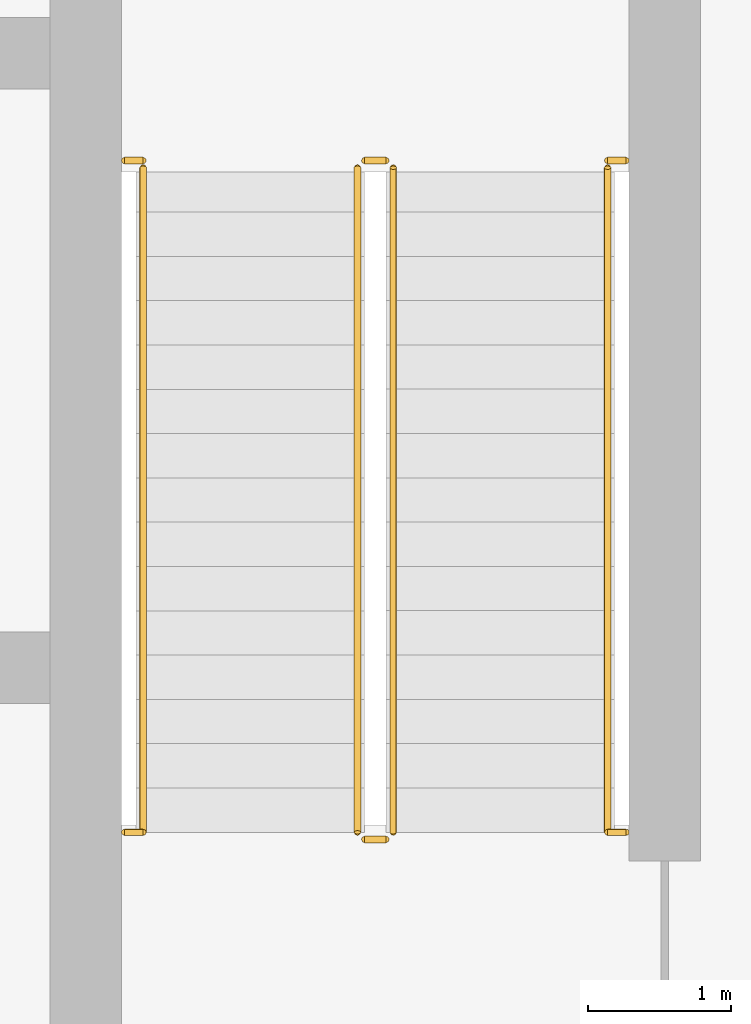
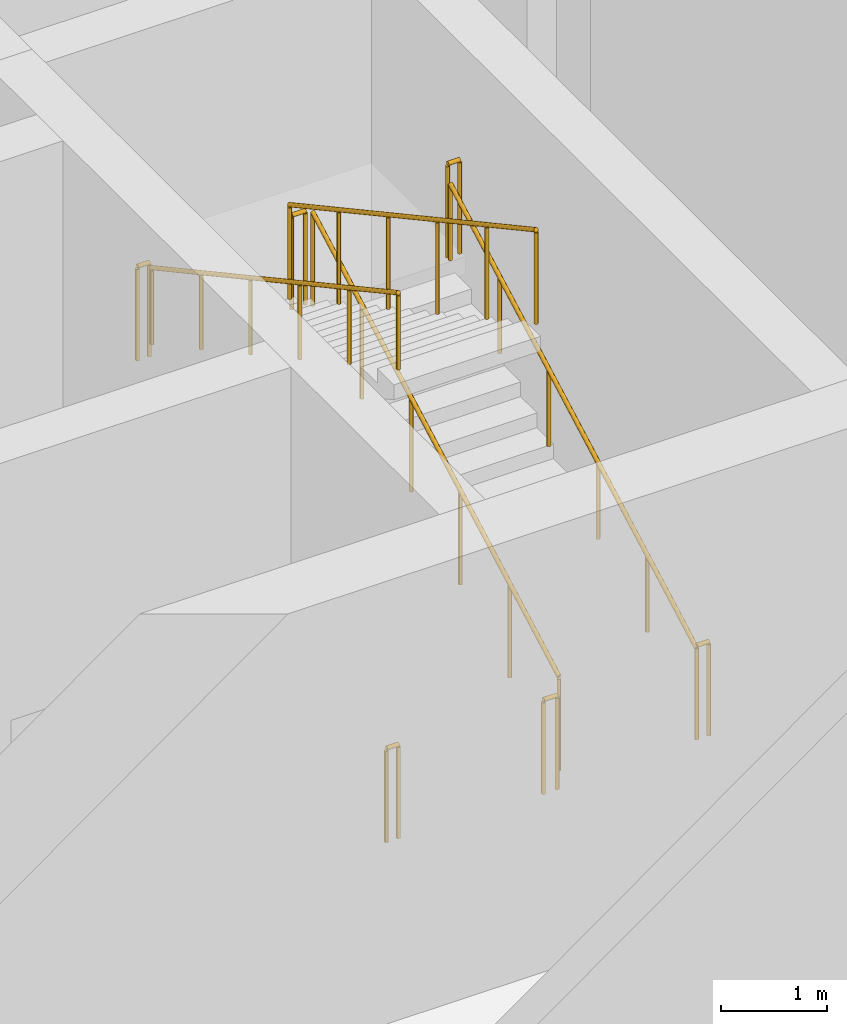
# One storey, part 26 of 30: 10 railings.
"""IFC4 building model written with IfcOpenShell, lengths in metres."""

from ifc_helpers import new_model, si_unit, direction, frame, origin, origin_2d, place, context, subcontext, project, spatial, circle, extrude, material, type_object, element, save


model = new_model("IFC4")

# Units and contexts
model_context = context("Model", 3, precision=1e-05, world=origin(), true_north=direction((0.0, 1.0)))
body_context = subcontext(model_context, "Body", "Model", "MODEL_VIEW")
ifc_project = project(units=[si_unit("LENGTHUNIT", "METRE"), si_unit("AREAUNIT", "SQUARE_METRE"), si_unit("VOLUMEUNIT", "CUBIC_METRE"), si_unit("PLANEANGLEUNIT", "RADIAN"), si_unit("MASSUNIT", "GRAM", prefix="KILO")], contexts=[model_context])

# Site, building, storey
site_placement = place(None, origin())
site = spatial("IfcSite", under=ifc_project, at=site_placement, CompositionType="ELEMENT")
building_placement = place(site_placement, origin())
building = spatial("IfcBuilding", under=site, at=building_placement, Name="Madar Terraces", CompositionType="ELEMENT")
storey_placement = place(building_placement, frame((0.0, 0.0, 173.5)))
storey = spatial("IfcBuildingStorey", under=building, at=storey_placement, Name="L45", CompositionType="ELEMENT", Elevation=173.5)

# Railings
ifc_material_1 = material(Name="Stainless steel railing", Category="steel")
railing_type_1 = type_object("IfcRailingType", Name="Stair guard 1100", PredefinedType="GUARDRAIL", material=ifc_material_1)
railing_1_placement = place(storey_placement, frame((41.449951171875, 17.60009765625, 0.168701171875)))
element("IfcRailing", 1, at=railing_1_placement, inside=storey, type_object=railing_type_1, Name="L45 ST3 stair guard 1", PredefinedType="GUARDRAIL", context=body_context, shape_type="SweptSolid", body=[
    extrude(circle(Radius=0.02392578125, at=origin_2d()), frame((0.0, 0.0, 1.076171875), z_axis=(0.0, 0.878297076953, 0.478115304728), x_axis=(-1.0, 0.0, 0.0)), (0.0, 0.0, 1.0), 5.294189453125),
    extrude(circle(Radius=0.02099609375, at=origin_2d()), origin(), (0.0, 0.0, 1.0), 1.052001953125),
    extrude(circle(Radius=0.02099609375, at=origin_2d()), frame((0.0, 0.929931640625, 0.50634765625)), (0.0, 0.0, 1.0), 1.052001953125),
    extrude(circle(Radius=0.02099609375, at=origin_2d()), frame((0.0, 1.85986328125, 1.012451171875)), (0.0, 0.0, 1.0), 1.052001953125),
    extrude(circle(Radius=0.02099609375, at=origin_2d()), frame((0.0, 2.7900390625, 1.518798828125)), (0.0, 0.0, 1.0), 1.052001953125),
    extrude(circle(Radius=0.02099609375, at=origin_2d()), frame((0.0, 3.719970703125, 2.02490234375)), (0.0, 0.0, 1.0), 1.052001953125),
    extrude(circle(Radius=0.02099609375, at=origin_2d()), frame((0.0, 4.64990234375, 2.53125)), (0.0, 0.0, 1.0), 1.052001953125),
])
railing_2_placement = place(storey_placement, frame((41.39990234375, 22.300048828125, 2.699951171875)))
element("IfcRailing", 2, at=railing_2_placement, inside=storey, type_object=railing_type_1, Name="L45 ST3 stair guard 2", PredefinedType="GUARDRAIL", context=body_context, shape_type="SweptSolid", body=[
    extrude(circle(Radius=0.02392578125, at=origin_2d()), frame((0.0, 0.0, 1.076171875), z_axis=(-1.0, 0.0, 0.0), x_axis=(0.0, -1.0, 0.0)), (0.0, 0.0, 1.0), 0.14990234375),
    extrude(circle(Radius=0.02099609375, at=origin_2d()), origin(), (0.0, 0.0, 1.0), 1.052001953125),
    extrude(circle(Radius=0.02099609375, at=origin_2d()), frame((-0.14990234375, 0.0, 0.0)), (0.0, 0.0, 1.0), 1.052001953125),
])
railing_3_placement = place(storey_placement, frame((41.199951171875, 22.25, 2.86865234375)))
element("IfcRailing", 3, at=railing_3_placement, inside=storey, type_object=railing_type_1, Name="L45 ST3 stair guard 3", PredefinedType="GUARDRAIL", context=body_context, shape_type="SweptSolid", body=[
    extrude(circle(Radius=0.02392578125, at=origin_2d()), frame((0.0, 0.0, 1.076171875), z_axis=(0.0, -0.878297076953, 0.478115304728), x_axis=(1.0, 0.0, 0.0)), (0.0, 0.0, 1.0), 5.294189453125),
    extrude(circle(Radius=0.02099609375, at=origin_2d()), origin(), (0.0, 0.0, 1.0), 1.052001953125),
    extrude(circle(Radius=0.02099609375, at=origin_2d()), frame((0.0, -0.929931640625, 0.50634765625)), (0.0, 0.0, 1.0), 1.052001953125),
    extrude(circle(Radius=0.02099609375, at=origin_2d()), frame((0.0, -1.85986328125, 1.012451171875)), (0.0, 0.0, 1.0), 1.052001953125),
    extrude(circle(Radius=0.02099609375, at=origin_2d()), frame((0.0, -2.7900390625, 1.518798828125)), (0.0, 0.0, 1.0), 1.052001953125),
    extrude(circle(Radius=0.02099609375, at=origin_2d()), frame((0.0, -3.719970703125, 2.02490234375)), (0.0, 0.0, 1.0), 1.052001953125),
    extrude(circle(Radius=0.02099609375, at=origin_2d()), frame((0.0, -4.64990234375, 2.53125)), (0.0, 0.0, 1.0), 1.052001953125),
])
railing_4_placement = place(storey_placement, frame((41.39990234375, 17.550048828125, 0.0)))
element("IfcRailing", 4, at=railing_4_placement, inside=storey, type_object=railing_type_1, Name="L45 ST3 stair guard 4", PredefinedType="GUARDRAIL", context=body_context, shape_type="SweptSolid", body=[
    extrude(circle(Radius=0.02392578125, at=origin_2d()), frame((0.0, 0.0, 1.076171875), z_axis=(-1.0, 0.0, 0.0), x_axis=(0.0, -1.0, 0.0)), (0.0, 0.0, 1.0), 0.14990234375),
    extrude(circle(Radius=0.02099609375, at=origin_2d()), origin(), (0.0, 0.0, 1.0), 1.052001953125),
    extrude(circle(Radius=0.02099609375, at=origin_2d()), frame((-0.14990234375, 0.0, 0.0)), (0.0, 0.0, 1.0), 1.052001953125),
])
railing_5_placement = place(storey_placement, frame((39.570068359375, 22.300048828125, 2.699951171875)))
element("IfcRailing", 5, at=railing_5_placement, inside=storey, type_object=railing_type_1, Name="L45 stair guard seat 1", PredefinedType="GUARDRAIL", context=body_context, shape_type="SweptSolid", body=[
    extrude(circle(Radius=0.02392578125, at=origin_2d()), frame((0.0, 0.0, 1.076171875), z_axis=(1.0, 0.0, 0.0), x_axis=(0.0, 1.0, 0.0)), (0.0, 0.0, 1.0), 0.1298828125),
    extrude(circle(Radius=0.02099609375, at=origin_2d()), origin(), (0.0, 0.0, 1.0), 1.052001953125),
    extrude(circle(Radius=0.02099609375, at=origin_2d()), frame((0.1298828125, 0.0, 0.0)), (0.0, 0.0, 1.0), 1.052001953125),
])
railing_6_placement = place(storey_placement, frame((42.949951171875, 22.300048828125, 2.699951171875)))
element("IfcRailing", 6, at=railing_6_placement, inside=storey, type_object=railing_type_1, Name="L45 stair guard seat 2", PredefinedType="GUARDRAIL", context=body_context, shape_type="SweptSolid", body=[
    extrude(circle(Radius=0.02392578125, at=origin_2d()), frame((0.0, 0.0, 1.076171875), z_axis=(1.0, 0.0, 0.0), x_axis=(0.0, 1.0, 0.0)), (0.0, 0.0, 1.0), 0.130126953125),
    extrude(circle(Radius=0.02099609375, at=origin_2d()), origin(), (0.0, 0.0, 1.0), 1.052001953125),
    extrude(circle(Radius=0.02099609375, at=origin_2d()), frame((0.130126953125, 0.0, 0.0)), (0.0, 0.0, 1.0), 1.052001953125),
])
railing_7_placement = place(storey_placement, frame((39.570068359375, 17.60009765625, 0.0)))
element("IfcRailing", 7, at=railing_7_placement, inside=storey, type_object=railing_type_1, Name="L45 stair guard floor 1", PredefinedType="GUARDRAIL", context=body_context, shape_type="SweptSolid", body=[
    extrude(circle(Radius=0.02392578125, at=origin_2d()), frame((0.0, 0.0, 1.076171875), z_axis=(1.0, 0.0, 0.0), x_axis=(0.0, 1.0, 0.0)), (0.0, 0.0, 1.0), 0.1298828125),
    extrude(circle(Radius=0.02099609375, at=origin_2d()), origin(), (0.0, 0.0, 1.0), 1.052001953125),
    extrude(circle(Radius=0.02099609375, at=origin_2d()), frame((0.1298828125, 0.0, 0.0)), (0.0, 0.0, 1.0), 1.052001953125),
])
railing_8_placement = place(storey_placement, frame((42.949951171875, 17.60009765625, 0.0)))
element("IfcRailing", 8, at=railing_8_placement, inside=storey, type_object=railing_type_1, Name="L45 stair guard floor 2", PredefinedType="GUARDRAIL", context=body_context, shape_type="SweptSolid", body=[
    extrude(circle(Radius=0.02392578125, at=origin_2d()), frame((0.0, 0.0, 1.076171875), z_axis=(1.0, 0.0, 0.0), x_axis=(0.0, 1.0, 0.0)), (0.0, 0.0, 1.0), 0.130126953125),
    extrude(circle(Radius=0.02099609375, at=origin_2d()), origin(), (0.0, 0.0, 1.0), 1.052001953125),
    extrude(circle(Radius=0.02099609375, at=origin_2d()), frame((0.130126953125, 0.0, 0.0)), (0.0, 0.0, 1.0), 1.052001953125),
])
ifc_material_2 = material(Name="Stainless steel railing", Category="steel")
railing_type_2 = type_object("IfcRailingType", Name="Stair handrail 900", PredefinedType="HANDRAIL", material=ifc_material_2)
railing_9_placement = place(storey_placement, frame((42.949951171875, 17.60009765625, 0.168701171875)))
element("IfcRailing", 9, at=railing_9_placement, inside=storey, type_object=railing_type_2, Name="L45 ST3 stair handrail 1", PredefinedType="HANDRAIL", context=body_context, shape_type="SweptSolid", body=[
    extrude(circle(Radius=0.02392578125, at=origin_2d()), frame((0.0, 0.0, 0.8759765625), z_axis=(0.0, 0.878297076953, 0.478115304728), x_axis=(-1.0, 0.0, 0.0)), (0.0, 0.0, 1.0), 5.294189453125),
    extrude(circle(Radius=0.02099609375, at=origin_2d()), origin(), (0.0, 0.0, 1.0), 0.851806640625),
    extrude(circle(Radius=0.02099609375, at=origin_2d()), frame((0.0, 0.929931640625, 0.50634765625)), (0.0, 0.0, 1.0), 0.851806640625),
    extrude(circle(Radius=0.02099609375, at=origin_2d()), frame((0.0, 1.85986328125, 1.012451171875)), (0.0, 0.0, 1.0), 0.851806640625),
    extrude(circle(Radius=0.02099609375, at=origin_2d()), frame((0.0, 2.7900390625, 1.518798828125)), (0.0, 0.0, 1.0), 0.851806640625),
    extrude(circle(Radius=0.02099609375, at=origin_2d()), frame((0.0, 3.719970703125, 2.02490234375)), (0.0, 0.0, 1.0), 0.851806640625),
    extrude(circle(Radius=0.02099609375, at=origin_2d()), frame((0.0, 4.64990234375, 2.53125)), (0.0, 0.0, 1.0), 0.851806640625),
])
railing_10_placement = place(storey_placement, frame((39.699951171875, 22.25, 2.86865234375)))
element("IfcRailing", 10, at=railing_10_placement, inside=storey, type_object=railing_type_2, Name="L45 ST3 stair handrail 2", PredefinedType="HANDRAIL", context=body_context, shape_type="SweptSolid", body=[
    extrude(circle(Radius=0.02392578125, at=origin_2d()), frame((0.0, 0.0, 0.8759765625), z_axis=(0.0, -0.878297076953, 0.478115304728), x_axis=(1.0, 0.0, 0.0)), (0.0, 0.0, 1.0), 5.294189453125),
    extrude(circle(Radius=0.02099609375, at=origin_2d()), origin(), (0.0, 0.0, 1.0), 0.851806640625),
    extrude(circle(Radius=0.02099609375, at=origin_2d()), frame((0.0, -0.929931640625, 0.50634765625)), (0.0, 0.0, 1.0), 0.851806640625),
    extrude(circle(Radius=0.02099609375, at=origin_2d()), frame((0.0, -1.85986328125, 1.012451171875)), (0.0, 0.0, 1.0), 0.851806640625),
    extrude(circle(Radius=0.02099609375, at=origin_2d()), frame((0.0, -2.7900390625, 1.518798828125)), (0.0, 0.0, 1.0), 0.851806640625),
    extrude(circle(Radius=0.02099609375, at=origin_2d()), frame((0.0, -3.719970703125, 2.02490234375)), (0.0, 0.0, 1.0), 0.851806640625),
    extrude(circle(Radius=0.02099609375, at=origin_2d()), frame((0.0, -4.64990234375, 2.53125)), (0.0, 0.0, 1.0), 0.851806640625),
])

save(model, "model.ifc")
